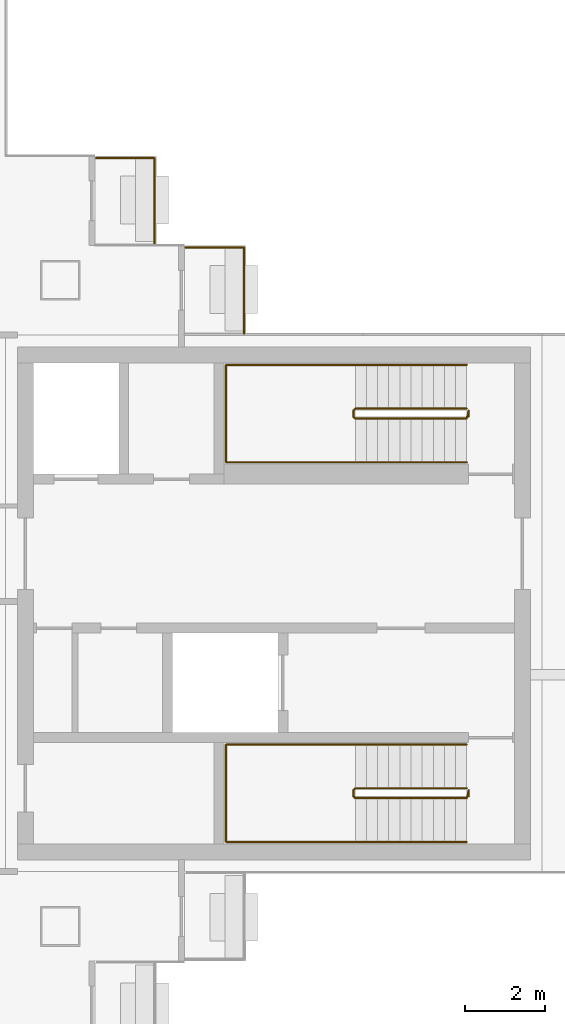
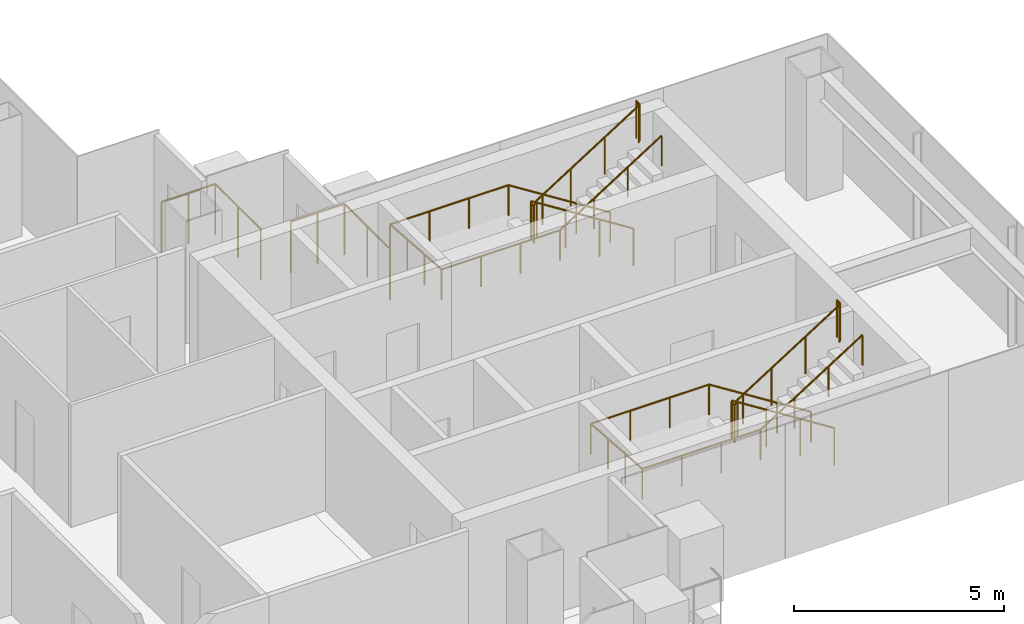
# One storey, part 15 of 16: 6 railings.
"""IFC4 building model written with IfcOpenShell, lengths in metres."""

from ifc_helpers import new_model, si_unit, direction, frame, origin, origin_2d, place, context, subcontext, project, spatial, circle, extrude, material, type_object, element, save


model = new_model("IFC4")

# Units and contexts
model_context = context("Model", 3, precision=1e-05, world=origin(), true_north=direction((0.0, 1.0)))
body_context = subcontext(model_context, "Body", "Model", "MODEL_VIEW")
ifc_project = project(units=[si_unit("LENGTHUNIT", "METRE"), si_unit("AREAUNIT", "SQUARE_METRE"), si_unit("VOLUMEUNIT", "CUBIC_METRE"), si_unit("PLANEANGLEUNIT", "RADIAN"), si_unit("MASSUNIT", "GRAM", prefix="KILO")], contexts=[model_context])

# Site, building, storey
site_placement = place(None, origin())
site = spatial("IfcSite", under=ifc_project, at=site_placement, CompositionType="ELEMENT")
building_placement = place(site_placement, origin())
building = spatial("IfcBuilding", under=site, at=building_placement, Name="Shamsa Quay Exchange Towers", CompositionType="ELEMENT")
storey_placement = place(building_placement, frame((0.0, 0.0, 210.0)))
storey = spatial("IfcBuildingStorey", under=building, at=storey_placement, Name="L50", CompositionType="ELEMENT", Elevation=210.0)

# Railings
ifc_material_1 = material(Name="Steel S355, black powder-coated", Category="steel")
railing_type_1 = type_object("IfcRailingType", Name="BALCONY GUARD 1500", PredefinedType="GUARDRAIL", material=ifc_material_1)
for number, where, name in (
    (1, (44.25, 9.0380859375, 0.0), "Balcony guard T2-PKES L50"),
    (2, (46.5, 6.7880859375, 0.0), "Balcony guard T2-PKES L50"),
):
    element("IfcRailing", number, at=place(storey_placement, frame(where)), inside=storey, type_object=railing_type_1, Name=name, PredefinedType="GUARDRAIL", context=body_context, shape_type="SweptSolid", body=[
        extrude(circle(Radius=0.02392578125, at=origin_2d()), frame((0.0, 0.0, 1.47607421875), z_axis=(0.0, 1.0, 0.0), x_axis=(-1.0, 0.0, 0.0)), (0.0, 0.0, 1.0), 2.161865234375),
        extrude(circle(Radius=0.02392578125, at=origin_2d()), frame((0.0, 2.161865234375, 1.47607421875), z_axis=(-1.0, 0.0, 0.0), x_axis=(0.0, -1.0, 0.0)), (0.0, 0.0, 1.0), 1.47900390625),
        extrude(circle(Radius=0.02099609375, at=origin_2d()), origin(), (0.0, 0.0, 1.0), 1.451904296875),
        extrude(circle(Radius=0.02099609375, at=origin_2d()), frame((0.0, 1.0810546875, 0.0)), (0.0, 0.0, 1.0), 1.451904296875),
        extrude(circle(Radius=0.02099609375, at=origin_2d()), frame((0.0, 2.161865234375, 0.0)), (0.0, 0.0, 1.0), 1.451904296875),
        extrude(circle(Radius=0.02099609375, at=origin_2d()), frame((-0.739501953125, 2.161865234375, 0.0)), (0.0, 0.0, 1.0), 1.451904296875),
        extrude(circle(Radius=0.02099609375, at=origin_2d()), frame((-1.47900390625, 2.161865234375, 0.0)), (0.0, 0.0, 1.0), 1.451904296875),
    ])
ifc_material_2 = material(Name="Stainless steel", Category="steel")
railing_type_2 = type_object("IfcRailingType", Name="STAIR GUARD 1100", PredefinedType="GUARDRAIL", material=ifc_material_2)
railing_1_placement = place(storey_placement, frame((52.10009765625, -4.64990234375, 0.17724609375)))
element("IfcRailing", 3, at=railing_1_placement, inside=storey, type_object=railing_type_2, Name="L50 ST5 stair guard 1", PredefinedType="GUARDRAIL", context=body_context, shape_type="SweptSolid", body=[
    extrude(circle(Radius=0.02392578125, at=origin_2d()), frame((0.0, 0.0, 1.076171875), z_axis=(-0.844908973607, 0.0, 0.534910110503), x_axis=(0.0, -1.0, 0.0)), (0.0, 0.0, 1.0), 3.31396484375),
    extrude(circle(Radius=0.02392578125, at=origin_2d()), frame((-2.800048828125, 0.0, 2.8486328125), z_axis=(-0.707106781187, -0.707106781187, 0.0), x_axis=(0.707106781187, -0.707106781187, 0.0)), (0.0, 0.0, 1.0), 0.07080078125),
    extrude(circle(Radius=0.02392578125, at=origin_2d()), frame((-2.85009765625, -0.050048828125, 2.8486328125), z_axis=(0.0, -1.0, 0.0), x_axis=(1.0, 0.0, 0.0)), (0.0, 0.0, 1.0), 0.150146484375),
    extrude(circle(Radius=0.02392578125, at=origin_2d()), frame((-2.85009765625, -0.2001953125, 2.8486328125), z_axis=(0.262321481514, -0.261041864531, 0.929001929653), x_axis=(0.705375805398, 0.708833529934, 0.0)), (0.0, 0.0, 1.0), 0.190673828125),
    extrude(circle(Radius=0.02392578125, at=origin_2d()), frame((-2.800048828125, -0.25, 3.02587890625), z_axis=(0.844908973607, 0.0, 0.534910110503), x_axis=(0.0, 1.0, 0.0)), (0.0, 0.0, 1.0), 3.31396484375),
    extrude(circle(Radius=0.02392578125, at=origin_2d()), frame((0.0, -0.25, 4.798828125), z_axis=(0.241699205484, 0.970351222016, 0.0), x_axis=(-0.970351222016, 0.241699205484, 0.0)), (0.0, 0.0, 1.0), 0.2060546875),
    extrude(circle(Radius=0.02392578125, at=origin_2d()), frame((0.0498046875, -0.050048828125, 4.798828125), z_axis=(0.0, -1.0, 0.0), x_axis=(1.0, 0.0, 0.0)), (0.0, 0.0, 1.0), 0.150146484375),
    extrude(circle(Radius=0.02099609375, at=origin_2d()), origin(), (0.0, 0.0, 1.0), 1.052001953125),
    extrude(circle(Radius=0.02099609375, at=origin_2d()), frame((-0.933349609375, 0.0, 0.5908203125)), (0.0, 0.0, 1.0), 1.052001953125),
    extrude(circle(Radius=0.02099609375, at=origin_2d()), frame((-1.86669921875, 0.0, 1.181884765625)), (0.0, 0.0, 1.0), 1.052001953125),
    extrude(circle(Radius=0.02099609375, at=origin_2d()), frame((-2.800048828125, 0.0, 1.772705078125)), (0.0, 0.0, 1.0), 1.052001953125),
    extrude(circle(Radius=0.02099609375, at=origin_2d()), frame((-2.85009765625, -0.050048828125, 1.772705078125)), (0.0, 0.0, 1.0), 1.052001953125),
    extrude(circle(Radius=0.02099609375, at=origin_2d()), frame((-2.85009765625, -0.2001953125, 1.772705078125)), (0.0, 0.0, 1.0), 1.052001953125),
    extrude(circle(Radius=0.02099609375, at=origin_2d()), frame((-2.800048828125, -0.25, 1.949951171875)), (0.0, 0.0, 1.0), 1.052001953125),
    extrude(circle(Radius=0.02099609375, at=origin_2d()), frame((-1.86669921875, -0.25, 2.540771484375)), (0.0, 0.0, 1.0), 1.052001953125),
    extrude(circle(Radius=0.02099609375, at=origin_2d()), frame((-0.933349609375, -0.25, 3.1318359375)), (0.0, 0.0, 1.0), 1.052001953125),
    extrude(circle(Radius=0.02099609375, at=origin_2d()), frame((0.0, -0.25, 3.72265625)), (0.0, 0.0, 1.0), 1.052001953125),
    extrude(circle(Radius=0.02099609375, at=origin_2d()), frame((0.0498046875, -0.050048828125, 3.72265625)), (0.0, 0.0, 1.0), 1.052001953125),
    extrude(circle(Radius=0.02099609375, at=origin_2d()), frame((0.0498046875, -0.2001953125, 3.72265625)), (0.0, 0.0, 1.0), 1.052001953125),
])
railing_2_placement = place(storey_placement, frame((52.10009765625, 4.89990234375, 0.17724609375)))
element("IfcRailing", 4, at=railing_2_placement, inside=storey, type_object=railing_type_2, Name="L50 ST6 stair guard 1", PredefinedType="GUARDRAIL", context=body_context, shape_type="SweptSolid", body=[
    extrude(circle(Radius=0.02392578125, at=origin_2d()), frame((0.0, 0.0, 1.076171875), z_axis=(-0.844908973607, 0.0, 0.534910110503), x_axis=(0.0, -1.0, 0.0)), (0.0, 0.0, 1.0), 3.31396484375),
    extrude(circle(Radius=0.02392578125, at=origin_2d()), frame((-2.800048828125, 0.0, 2.8486328125), z_axis=(-0.708833529934, -0.705375805398, 0.0), x_axis=(0.705375805398, -0.708833529934, 0.0)), (0.0, 0.0, 1.0), 0.070556640625),
    extrude(circle(Radius=0.02392578125, at=origin_2d()), frame((-2.85009765625, -0.0498046875, 2.8486328125), z_axis=(0.0, -1.0, 0.0), x_axis=(1.0, 0.0, 0.0)), (0.0, 0.0, 1.0), 0.150146484375),
    extrude(circle(Radius=0.02392578125, at=origin_2d()), frame((-2.85009765625, -0.199951171875, 2.8486328125), z_axis=(0.262233686654, -0.262233686654, 0.928691007369), x_axis=(0.707106781187, 0.707106781187, 0.0)), (0.0, 0.0, 1.0), 0.19091796875),
    extrude(circle(Radius=0.02392578125, at=origin_2d()), frame((-2.800048828125, -0.25, 3.02587890625), z_axis=(0.844908973607, 0.0, 0.534910110503), x_axis=(0.0, 1.0, 0.0)), (0.0, 0.0, 1.0), 3.31396484375),
    extrude(circle(Radius=0.02392578125, at=origin_2d()), frame((0.0, -0.25, 4.798828125), z_axis=(0.24142163986, 0.970420317083, 0.0), x_axis=(-0.970420317083, 0.24142163986, 0.0)), (0.0, 0.0, 1.0), 0.206298828125),
    extrude(circle(Radius=0.02392578125, at=origin_2d()), frame((0.0498046875, -0.0498046875, 4.798828125), z_axis=(0.0, -1.0, 0.0), x_axis=(1.0, 0.0, 0.0)), (0.0, 0.0, 1.0), 0.150146484375),
    extrude(circle(Radius=0.02099609375, at=origin_2d()), origin(), (0.0, 0.0, 1.0), 1.052001953125),
    extrude(circle(Radius=0.02099609375, at=origin_2d()), frame((-0.933349609375, 0.0, 0.5908203125)), (0.0, 0.0, 1.0), 1.052001953125),
    extrude(circle(Radius=0.02099609375, at=origin_2d()), frame((-1.86669921875, 0.0, 1.181884765625)), (0.0, 0.0, 1.0), 1.052001953125),
    extrude(circle(Radius=0.02099609375, at=origin_2d()), frame((-2.800048828125, 0.0, 1.772705078125)), (0.0, 0.0, 1.0), 1.052001953125),
    extrude(circle(Radius=0.02099609375, at=origin_2d()), frame((-2.85009765625, -0.0498046875, 1.772705078125)), (0.0, 0.0, 1.0), 1.052001953125),
    extrude(circle(Radius=0.02099609375, at=origin_2d()), frame((-2.85009765625, -0.199951171875, 1.772705078125)), (0.0, 0.0, 1.0), 1.052001953125),
    extrude(circle(Radius=0.02099609375, at=origin_2d()), frame((-2.800048828125, -0.25, 1.949951171875)), (0.0, 0.0, 1.0), 1.052001953125),
    extrude(circle(Radius=0.02099609375, at=origin_2d()), frame((-1.86669921875, -0.25, 2.540771484375)), (0.0, 0.0, 1.0), 1.052001953125),
    extrude(circle(Radius=0.02099609375, at=origin_2d()), frame((-0.933349609375, -0.25, 3.1318359375)), (0.0, 0.0, 1.0), 1.052001953125),
    extrude(circle(Radius=0.02099609375, at=origin_2d()), frame((0.0, -0.25, 3.72265625)), (0.0, 0.0, 1.0), 1.052001953125),
    extrude(circle(Radius=0.02099609375, at=origin_2d()), frame((0.0498046875, -0.0498046875, 3.72265625)), (0.0, 0.0, 1.0), 1.052001953125),
    extrude(circle(Radius=0.02099609375, at=origin_2d()), frame((0.0498046875, -0.199951171875, 3.72265625)), (0.0, 0.0, 1.0), 1.052001953125),
])
railing_type_3 = type_object("IfcRailingType", Name="STAIR HANDRAIL 900", PredefinedType="HANDRAIL", material=ifc_material_2)
railing_3_placement = place(storey_placement, frame((52.10009765625, -3.550048828125, 0.17724609375)))
element("IfcRailing", 5, at=railing_3_placement, inside=storey, type_object=railing_type_3, Name="L50 ST5 stair handrail 1", PredefinedType="HANDRAIL", context=body_context, shape_type="SweptSolid", body=[
    extrude(circle(Radius=0.02392578125, at=origin_2d()), frame((0.0, 0.0, 0.8759765625), z_axis=(-0.844908973607, 0.0, 0.534910110503), x_axis=(0.0, -1.0, 0.0)), (0.0, 0.0, 1.0), 3.31396484375),
    extrude(circle(Radius=0.02392578125, at=origin_2d()), frame((-2.800048828125, 0.0, 2.6484375), z_axis=(-1.0, 0.0, 0.0), x_axis=(0.0, -1.0, 0.0)), (0.0, 0.0, 1.0), 3.25),
    extrude(circle(Radius=0.02392578125, at=origin_2d()), frame((-6.050048828125, 0.0, 2.6484375), z_axis=(0.0, -0.997393199914, 0.07215819264), x_axis=(1.0, 0.0, 0.0)), (0.0, 0.0, 1.0), 2.456298828125),
    extrude(circle(Radius=0.02392578125, at=origin_2d()), frame((-6.050048828125, -2.449951171875, 2.82568359375), z_axis=(1.0, 0.0, 0.0), x_axis=(0.0, 1.0, 0.0)), (0.0, 0.0, 1.0), 3.25),
    extrude(circle(Radius=0.02392578125, at=origin_2d()), frame((-2.800048828125, -2.449951171875, 2.82568359375), z_axis=(0.844908973607, 0.0, 0.534910110503), x_axis=(0.0, 1.0, 0.0)), (0.0, 0.0, 1.0), 3.31396484375),
    extrude(circle(Radius=0.02099609375, at=origin_2d()), origin(), (0.0, 0.0, 1.0), 0.851806640625),
    extrude(circle(Radius=0.02099609375, at=origin_2d()), frame((-0.933349609375, 0.0, 0.5908203125)), (0.0, 0.0, 1.0), 0.851806640625),
    extrude(circle(Radius=0.02099609375, at=origin_2d()), frame((-1.86669921875, 0.0, 1.181884765625)), (0.0, 0.0, 1.0), 0.851806640625),
    extrude(circle(Radius=0.02099609375, at=origin_2d()), frame((-2.800048828125, 0.0, 1.772705078125)), (0.0, 0.0, 1.0), 0.851806640625),
    extrude(circle(Radius=0.02099609375, at=origin_2d()), frame((-3.88330078125, 0.0, 1.772705078125)), (0.0, 0.0, 1.0), 0.851806640625),
    extrude(circle(Radius=0.02099609375, at=origin_2d()), frame((-4.966796875, 0.0, 1.772705078125)), (0.0, 0.0, 1.0), 0.851806640625),
    extrude(circle(Radius=0.02099609375, at=origin_2d()), frame((-6.050048828125, 0.0, 1.772705078125)), (0.0, 0.0, 1.0), 0.851806640625),
    extrude(circle(Radius=0.02099609375, at=origin_2d()), frame((-6.050048828125, -0.816650390625, 1.831787109375)), (0.0, 0.0, 1.0), 0.851806640625),
    extrude(circle(Radius=0.02099609375, at=origin_2d()), frame((-6.050048828125, -1.63330078125, 1.890869140625)), (0.0, 0.0, 1.0), 0.851806640625),
    extrude(circle(Radius=0.02099609375, at=origin_2d()), frame((-6.050048828125, -2.449951171875, 1.949951171875)), (0.0, 0.0, 1.0), 0.851806640625),
    extrude(circle(Radius=0.02099609375, at=origin_2d()), frame((-4.966796875, -2.449951171875, 1.949951171875)), (0.0, 0.0, 1.0), 0.851806640625),
    extrude(circle(Radius=0.02099609375, at=origin_2d()), frame((-3.88330078125, -2.449951171875, 1.949951171875)), (0.0, 0.0, 1.0), 0.851806640625),
    extrude(circle(Radius=0.02099609375, at=origin_2d()), frame((-2.800048828125, -2.449951171875, 1.949951171875)), (0.0, 0.0, 1.0), 0.851806640625),
    extrude(circle(Radius=0.02099609375, at=origin_2d()), frame((-1.86669921875, -2.449951171875, 2.540771484375)), (0.0, 0.0, 1.0), 0.851806640625),
    extrude(circle(Radius=0.02099609375, at=origin_2d()), frame((-0.933349609375, -2.449951171875, 3.1318359375)), (0.0, 0.0, 1.0), 0.851806640625),
    extrude(circle(Radius=0.02099609375, at=origin_2d()), frame((0.0, -2.449951171875, 3.72265625)), (0.0, 0.0, 1.0), 0.851806640625),
])
railing_4_placement = place(storey_placement, frame((52.10009765625, 6.0, 0.17724609375)))
element("IfcRailing", 6, at=railing_4_placement, inside=storey, type_object=railing_type_3, Name="L50 ST6 stair handrail 1", PredefinedType="HANDRAIL", context=body_context, shape_type="SweptSolid", body=[
    extrude(circle(Radius=0.02392578125, at=origin_2d()), frame((0.0, 0.0, 0.8759765625), z_axis=(-0.844908973607, 0.0, 0.534910110503), x_axis=(0.0, -1.0, 0.0)), (0.0, 0.0, 1.0), 3.31396484375),
    extrude(circle(Radius=0.02392578125, at=origin_2d()), frame((-2.800048828125, 0.0, 2.6484375), z_axis=(-1.0, 0.0, 0.0), x_axis=(0.0, -1.0, 0.0)), (0.0, 0.0, 1.0), 3.25),
    extrude(circle(Radius=0.02392578125, at=origin_2d()), frame((-6.050048828125, 0.0, 2.6484375), z_axis=(0.0, -0.997393199914, 0.07215819264), x_axis=(1.0, 0.0, 0.0)), (0.0, 0.0, 1.0), 2.456298828125),
    extrude(circle(Radius=0.02392578125, at=origin_2d()), frame((-6.050048828125, -2.449951171875, 2.82568359375), z_axis=(1.0, 0.0, 0.0), x_axis=(0.0, 1.0, 0.0)), (0.0, 0.0, 1.0), 3.25),
    extrude(circle(Radius=0.02392578125, at=origin_2d()), frame((-2.800048828125, -2.449951171875, 2.82568359375), z_axis=(0.844908973607, 0.0, 0.534910110503), x_axis=(0.0, 1.0, 0.0)), (0.0, 0.0, 1.0), 3.31396484375),
    extrude(circle(Radius=0.02099609375, at=origin_2d()), origin(), (0.0, 0.0, 1.0), 0.851806640625),
    extrude(circle(Radius=0.02099609375, at=origin_2d()), frame((-0.933349609375, 0.0, 0.5908203125)), (0.0, 0.0, 1.0), 0.851806640625),
    extrude(circle(Radius=0.02099609375, at=origin_2d()), frame((-1.86669921875, 0.0, 1.181884765625)), (0.0, 0.0, 1.0), 0.851806640625),
    extrude(circle(Radius=0.02099609375, at=origin_2d()), frame((-2.800048828125, 0.0, 1.772705078125)), (0.0, 0.0, 1.0), 0.851806640625),
    extrude(circle(Radius=0.02099609375, at=origin_2d()), frame((-3.88330078125, 0.0, 1.772705078125)), (0.0, 0.0, 1.0), 0.851806640625),
    extrude(circle(Radius=0.02099609375, at=origin_2d()), frame((-4.966796875, 0.0, 1.772705078125)), (0.0, 0.0, 1.0), 0.851806640625),
    extrude(circle(Radius=0.02099609375, at=origin_2d()), frame((-6.050048828125, 0.0, 1.772705078125)), (0.0, 0.0, 1.0), 0.851806640625),
    extrude(circle(Radius=0.02099609375, at=origin_2d()), frame((-6.050048828125, -0.816650390625, 1.831787109375)), (0.0, 0.0, 1.0), 0.851806640625),
    extrude(circle(Radius=0.02099609375, at=origin_2d()), frame((-6.050048828125, -1.63330078125, 1.890869140625)), (0.0, 0.0, 1.0), 0.851806640625),
    extrude(circle(Radius=0.02099609375, at=origin_2d()), frame((-6.050048828125, -2.449951171875, 1.949951171875)), (0.0, 0.0, 1.0), 0.851806640625),
    extrude(circle(Radius=0.02099609375, at=origin_2d()), frame((-4.966796875, -2.449951171875, 1.949951171875)), (0.0, 0.0, 1.0), 0.851806640625),
    extrude(circle(Radius=0.02099609375, at=origin_2d()), frame((-3.88330078125, -2.449951171875, 1.949951171875)), (0.0, 0.0, 1.0), 0.851806640625),
    extrude(circle(Radius=0.02099609375, at=origin_2d()), frame((-2.800048828125, -2.449951171875, 1.949951171875)), (0.0, 0.0, 1.0), 0.851806640625),
    extrude(circle(Radius=0.02099609375, at=origin_2d()), frame((-1.86669921875, -2.449951171875, 2.540771484375)), (0.0, 0.0, 1.0), 0.851806640625),
    extrude(circle(Radius=0.02099609375, at=origin_2d()), frame((-0.933349609375, -2.449951171875, 3.1318359375)), (0.0, 0.0, 1.0), 0.851806640625),
    extrude(circle(Radius=0.02099609375, at=origin_2d()), frame((0.0, -2.449951171875, 3.72265625)), (0.0, 0.0, 1.0), 0.851806640625),
])

save(model, "model.ifc")
